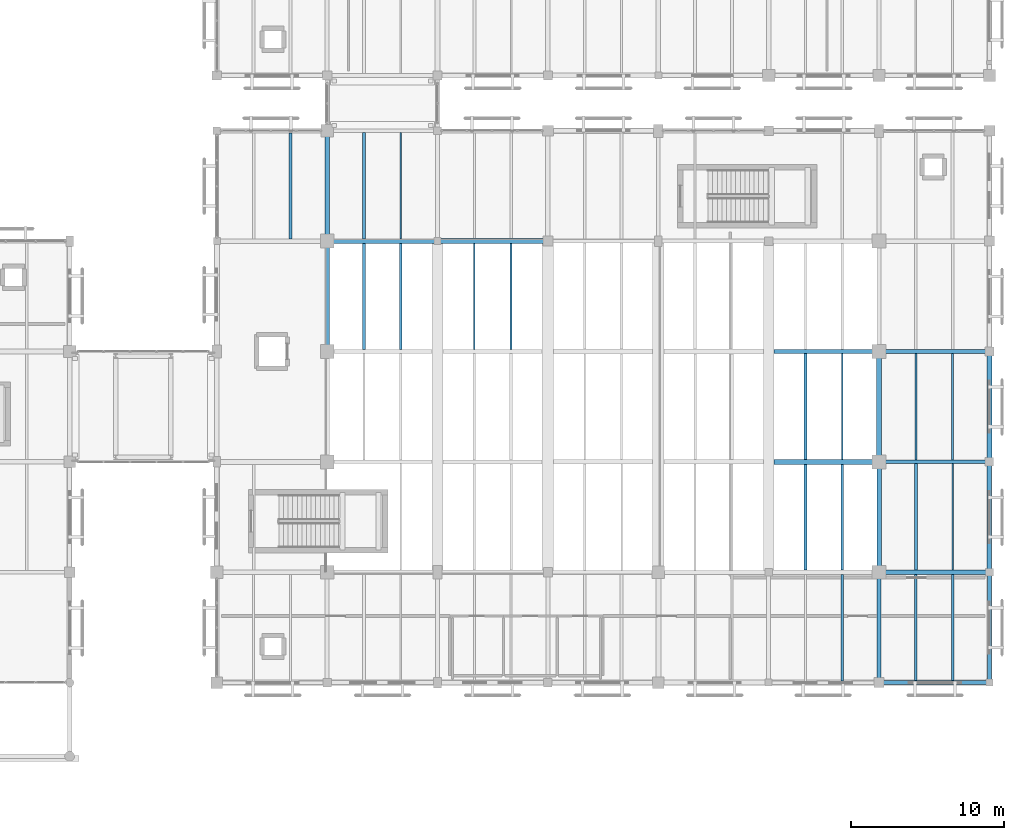
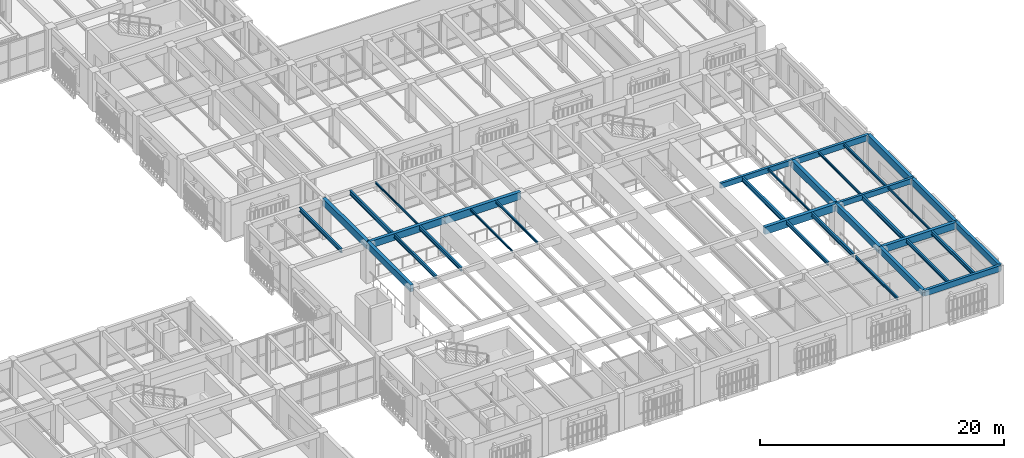
# One storey, part 90 of 170: 34 beams.
"""IFC4 building model written with IfcOpenShell, lengths in metres."""

from ifc_helpers import new_model, si_unit, direction, frame, origin, origin_2d, place, context, subcontext, project, spatial, rectangle, i_section, extrude, material, material_profile, profile_set, type_object, element, save


model = new_model("IFC4")

# Units and contexts
model_context = context("Model", 3, precision=1e-05, world=origin(), true_north=direction((0.0, 1.0)))
body_context = subcontext(model_context, "Body", "Model", "MODEL_VIEW")
ifc_project = project(units=[si_unit("LENGTHUNIT", "METRE"), si_unit("AREAUNIT", "SQUARE_METRE"), si_unit("VOLUMEUNIT", "CUBIC_METRE"), si_unit("PLANEANGLEUNIT", "RADIAN"), si_unit("MASSUNIT", "GRAM", prefix="KILO")], contexts=[model_context])

# Site, building, storey
site_placement = place(None, origin())
site = spatial("IfcSite", under=ifc_project, at=site_placement, CompositionType="ELEMENT")
building_placement = place(site_placement, origin())
building = spatial("IfcBuilding", under=site, at=building_placement, Name="Mazaris Harbour Polytechnic", CompositionType="ELEMENT")
storey_placement = place(building_placement, frame((0.0, 0.0, 5.39990234375)))
storey = spatial("IfcBuildingStorey", under=building, at=storey_placement, Name="L01", CompositionType="ELEMENT", Elevation=5.39990234375)

# Beams
ifc_material_1 = material(Name="Glulam GL32h", Category="wood")
ifc_material_profile_1 = material_profile(ifc_material_1, rectangle(XDim=0.239990234375, YDim=0.52001953125, at=origin_2d()), Name="RECT240x520")
ifc_profile_set_1 = profile_set([ifc_material_profile_1], Name="Glulam GL32h")
beam_type_1 = type_object("IfcBeamType", Name="Glulam Girder 240x520", PredefinedType="BEAM", material=ifc_profile_set_1)
beam_1_placement = place(storey_placement, frame((165.60009765625, 21.60009765625, 3.590087890625), z_axis=(1.0, 0.0, 0.0), x_axis=(0.0, 1.0, 0.0)))
element("IfcBeam", 1, at=beam_1_placement, inside=storey, type_object=beam_type_1, Name="V2 L01 Girder 535", PredefinedType="BEAM", context=body_context, shape_type="SweptSolid", body=[
    extrude(rectangle(XDim=0.239990234375, YDim=0.52001953125, at=origin_2d()), origin(), (0.0, 0.0, 1.0), 7.199951171875),
])
beam_2_placement = place(storey_placement, frame((158.75, 28.800048828125, 3.590087890625), z_axis=(1.0, 0.0, 0.0), x_axis=(0.0, 1.0, 0.0)))
element("IfcBeam", 2, at=beam_2_placement, inside=storey, type_object=beam_type_1, Name="V2 L01 Girder 540", PredefinedType="BEAM", context=body_context, shape_type="SweptSolid", body=[
    extrude(rectangle(XDim=0.239990234375, YDim=0.52001953125, at=origin_2d()), origin(), (0.0, 0.0, 1.0), 6.85009765625),
])
ifc_material_2 = material(Name="Glulam GL32h", Category="wood")
ifc_material_profile_2 = material_profile(ifc_material_2, rectangle(XDim=0.260009765625, YDim=0.580078125, at=origin_2d()), Name="RECT260x580")
ifc_profile_set_2 = profile_set([ifc_material_profile_2], Name="Glulam GL32h")
beam_type_2 = type_object("IfcBeamType", Name="Glulam Girder 260x580", PredefinedType="BEAM", material=ifc_profile_set_2)
beam_3_placement = place(storey_placement, frame((165.60009765625, 28.800048828125, 3.56005859375), z_axis=(1.0, 0.0, 0.0), x_axis=(0.0, 1.0, 0.0)))
element("IfcBeam", 3, at=beam_3_placement, inside=storey, type_object=beam_type_2, Name="V2 L01 Girder 541", PredefinedType="BEAM", context=body_context, shape_type="SweptSolid", body=[
    extrude(rectangle(XDim=0.260009765625, YDim=0.580078125, at=origin_2d()), origin(), (0.0, 0.0, 1.0), 7.199951171875),
])
ifc_material_3 = material(Name="Glulam GL32h", Category="wood")
ifc_material_profile_3 = material_profile(ifc_material_3, rectangle(XDim=0.260009765625, YDim=0.580078125, at=origin_2d()), Name="RECT260x580")
ifc_profile_set_3 = profile_set([ifc_material_profile_3], Name="Glulam GL32h")
beam_type_3 = type_object("IfcBeamType", Name="Glulam Girder 260x580 Exterior", PredefinedType="BEAM", material=ifc_profile_set_3)
beam_4_placement = place(storey_placement, frame((165.60009765625, 7.199951171875, 3.56005859375), z_axis=(1.0, 0.0, 0.0), x_axis=(0.0, 1.0, 0.0)))
element("IfcBeam", 4, at=beam_4_placement, inside=storey, type_object=beam_type_3, Name="V2 L01 Girder 521", PredefinedType="BEAM", context=body_context, shape_type="SweptSolid", body=[
    extrude(rectangle(XDim=0.260009765625, YDim=0.580078125, at=origin_2d()), origin(), (0.0, 0.0, 1.0), 7.199951171875),
])
ifc_material_4 = material(Name="Glulam GL32h", Category="wood")
ifc_material_profile_4 = material_profile(ifc_material_4, rectangle(XDim=0.280029296875, YDim=0.639892578125, at=origin_2d()), Name="RECT280x640")
ifc_profile_set_4 = profile_set([ifc_material_profile_4], Name="Glulam GL32h")
beam_type_4 = type_object("IfcBeamType", Name="Glulam Girder 280x640", PredefinedType="BEAM", material=ifc_profile_set_4)
beam_5_placement = place(storey_placement, frame((165.60009765625, 7.199951171875, 3.530029296875), z_axis=(0.0, 1.0, 0.0), x_axis=(-1.0, 0.0, 0.0)))
element("IfcBeam", 5, at=beam_5_placement, inside=storey, type_object=beam_type_4, Name="V2 L01 Tie Girder 572", PredefinedType="BEAM", context=body_context, shape_type="SweptSolid", body=[
    extrude(rectangle(XDim=0.280029296875, YDim=0.639892578125, at=origin_2d()), origin(), (0.0, 0.0, 1.0), 7.199951171875),
])
ifc_material_5 = material(Name="Glulam GL32h", Category="wood")
ifc_material_profile_5 = material_profile(ifc_material_5, rectangle(XDim=0.280029296875, YDim=0.639892578125, at=origin_2d()), Name="RECT280x640")
ifc_profile_set_5 = profile_set([ifc_material_profile_5], Name="Glulam GL32h")
beam_type_5 = type_object("IfcBeamType", Name="Glulam Girder 280x640 Exterior", PredefinedType="BEAM", material=ifc_profile_set_5)
beam_6_placement = place(storey_placement, frame((172.800048828125, 7.199951171875, 3.530029296875), z_axis=(0.0, 1.0, 0.0), x_axis=(-1.0, 0.0, 0.0)))
element("IfcBeam", 6, at=beam_6_placement, inside=storey, type_object=beam_type_5, Name="V2 L01 Tie Girder 577", PredefinedType="BEAM", context=body_context, shape_type="SweptSolid", body=[
    extrude(rectangle(XDim=0.280029296875, YDim=0.639892578125, at=origin_2d()), origin(), (0.0, 0.0, 1.0), 7.199951171875),
])
ifc_material_6 = material(Name="Glulam GL32h", Category="wood")
ifc_material_profile_6 = material_profile(ifc_material_6, rectangle(XDim=0.300048828125, YDim=0.679931640625, at=origin_2d()), Name="RECT300x680")
ifc_profile_set_6 = profile_set([ifc_material_profile_6], Name="Glulam GL32h")
beam_type_6 = type_object("IfcBeamType", Name="Glulam Girder 300x680", PredefinedType="BEAM", material=ifc_profile_set_6)
for number, where, z_axis, x_axis, name in (
    (7, (165.60009765625, 14.39990234375, 3.510009765625), (1.0, 0.0, 0.0), (0.0, 1.0, 0.0), "V2 L01 Girder 528"),
    (8, (129.60009765625, 36.0, 3.510009765625), (1.0, 0.0, 0.0), (0.0, 1.0, 0.0), "V2 L01 Girder 543"),
    (9, (129.60009765625, 28.800048828125, 3.510009765625), (0.0, 1.0, 0.0), (-1.0, 0.0, 0.0), "V2 L01 Tie Girder 563"),
):
    element("IfcBeam", number, at=place(storey_placement, frame(where, z_axis=z_axis, x_axis=x_axis)), inside=storey, type_object=beam_type_6, Name=name, PredefinedType="BEAM", context=body_context, shape_type="SweptSolid", body=[
        extrude(rectangle(XDim=0.300048828125, YDim=0.679931640625, at=origin_2d()), origin(), (0.0, 0.0, 1.0), 7.199951171875),
    ])
beam_7_placement = place(storey_placement, frame((165.60009765625, 14.39990234375, 3.510009765625), z_axis=(0.0, 1.0, 0.0), x_axis=(-1.0, 0.0, 0.0)))
element("IfcBeam", 10, at=beam_7_placement, inside=storey, type_object=beam_type_6, Name="V2 L01 Tie Girder 573", PredefinedType="BEAM", context=body_context, shape_type="SweptSolid", body=[
    extrude(rectangle(XDim=0.300048828125, YDim=0.679931640625, at=origin_2d()), origin(), (0.0, 0.0, 1.0), 7.2001953125),
])
ifc_material_7 = material(Name="Glulam GL32h", Category="wood")
ifc_material_profile_7 = material_profile(ifc_material_7, rectangle(XDim=0.300048828125, YDim=0.679931640625, at=origin_2d()), Name="RECT300x680")
ifc_profile_set_7 = profile_set([ifc_material_profile_7], Name="Glulam GL32h")
beam_type_7 = type_object("IfcBeamType", Name="Glulam Girder 300x680 Exterior", PredefinedType="BEAM", material=ifc_profile_set_7)
beam_8_placement = place(storey_placement, frame((172.800048828125, 14.39990234375, 3.510009765625), z_axis=(0.0, 1.0, 0.0), x_axis=(-1.0, 0.0, 0.0)))
element("IfcBeam", 11, at=beam_8_placement, inside=storey, type_object=beam_type_7, Name="V2 L01 Tie Girder 578", PredefinedType="BEAM", context=body_context, shape_type="SweptSolid", body=[
    extrude(rectangle(XDim=0.300048828125, YDim=0.679931640625, at=origin_2d()), origin(), (0.0, 0.0, 1.0), 7.2001953125),
])
ifc_material_8 = material(Name="Glulam GL32h", Category="wood")
ifc_material_profile_8 = material_profile(ifc_material_8, rectangle(XDim=0.320068359375, YDim=0.739990234375, at=origin_2d()), Name="RECT320x740")
ifc_profile_set_8 = profile_set([ifc_material_profile_8], Name="Glulam GL32h")
beam_type_8 = type_object("IfcBeamType", Name="Glulam Girder 320x740", PredefinedType="BEAM", material=ifc_profile_set_8)
beam_9_placement = place(storey_placement, frame((158.75, 21.60009765625, 3.47998046875), z_axis=(1.0, 0.0, 0.0), x_axis=(0.0, 1.0, 0.0)))
element("IfcBeam", 12, at=beam_9_placement, inside=storey, type_object=beam_type_8, Name="V2 L01 Girder 534", PredefinedType="BEAM", context=body_context, shape_type="SweptSolid", body=[
    extrude(rectangle(XDim=0.320068359375, YDim=0.739990234375, at=origin_2d()), origin(), (0.0, 0.0, 1.0), 6.85009765625),
])
for number, where, z_axis, x_axis, name in (
    (13, (136.800048828125, 36.0, 3.47998046875), (1.0, 0.0, 0.0), (0.0, 1.0, 0.0), "V2 L01 Girder 544"),
    (14, (129.60009765625, 36.0, 3.47998046875), (0.0, 1.0, 0.0), (-1.0, 0.0, 0.0), "V2 L01 Tie Girder 564"),
    (15, (165.60009765625, 21.60009765625, 3.47998046875), (0.0, 1.0, 0.0), (-1.0, 0.0, 0.0), "V2 L01 Tie Girder 574"),
):
    element("IfcBeam", number, at=place(storey_placement, frame(where, z_axis=z_axis, x_axis=x_axis)), inside=storey, type_object=beam_type_8, Name=name, PredefinedType="BEAM", context=body_context, shape_type="SweptSolid", body=[
        extrude(rectangle(XDim=0.320068359375, YDim=0.739990234375, at=origin_2d()), origin(), (0.0, 0.0, 1.0), 7.199951171875),
    ])
ifc_material_9 = material(Name="Glulam GL32h", Category="wood")
ifc_material_profile_9 = material_profile(ifc_material_9, rectangle(XDim=0.320068359375, YDim=0.739990234375, at=origin_2d()), Name="RECT320x740")
ifc_profile_set_9 = profile_set([ifc_material_profile_9], Name="Glulam GL32h")
beam_type_9 = type_object("IfcBeamType", Name="Glulam Girder 320x740 Exterior", PredefinedType="BEAM", material=ifc_profile_set_9)
beam_10_placement = place(storey_placement, frame((172.800048828125, 21.60009765625, 3.47998046875), z_axis=(0.0, 1.0, 0.0), x_axis=(-1.0, 0.0, 0.0)))
element("IfcBeam", 16, at=beam_10_placement, inside=storey, type_object=beam_type_9, Name="V2 L01 Tie Girder 579", PredefinedType="BEAM", context=body_context, shape_type="SweptSolid", body=[
    extrude(rectangle(XDim=0.320068359375, YDim=0.739990234375, at=origin_2d()), origin(), (0.0, 0.0, 1.0), 7.199951171875),
])
ifc_material_10 = material(Name="Steel S355", Category="steel")
ifc_material_profile_10 = material_profile(ifc_material_10, i_section(OverallWidth=0.10009765625, OverallDepth=0.199951171875, WebThickness=0.005615234375, FlangeThickness=0.008544921875, FilletRadius=0.011962890625, at=origin_2d()), Name="IPE 200")
ifc_profile_set_10 = profile_set([ifc_material_profile_10], Name="Steel S355")
beam_type_10 = type_object("IfcBeamType", Name="Steel Joist IPE200", PredefinedType="JOIST", material=ifc_profile_set_10)
beam_11_placement = place(storey_placement, frame((134.39990234375, 36.14990234375, 3.75), z_axis=(0.0, 1.0, 0.0), x_axis=(-1.0, 0.0, 0.0)))
element("IfcBeam", 17, at=beam_11_placement, inside=storey, type_object=beam_type_10, Name="V2 L01 Floor Joist 595", PredefinedType="JOIST", context=body_context, shape_type="SweptSolid", body=[
    extrude(i_section(OverallWidth=0.10009765625, OverallDepth=0.199951171875, WebThickness=0.005615234375, FlangeThickness=0.008544921875, FilletRadius=0.011962890625, at=origin_2d()), origin(), (0.0, 0.0, 1.0), 6.93017578125),
])
beam_12_placement = place(storey_placement, frame((139.199951171875, 28.93994140625, 3.75), z_axis=(0.0, 1.0, 0.0), x_axis=(-1.0, 0.0, 0.0)))
element("IfcBeam", 18, at=beam_12_placement, inside=storey, type_object=beam_type_10, Name="V2 L01 Floor Joist 602", PredefinedType="JOIST", context=body_context, shape_type="SweptSolid", body=[
    extrude(i_section(OverallWidth=0.10009765625, OverallDepth=0.199951171875, WebThickness=0.005615234375, FlangeThickness=0.008544921875, FilletRadius=0.011962890625, at=origin_2d()), origin(), (0.0, 0.0, 1.0), 6.900146484375),
])
beam_13_placement = place(storey_placement, frame((163.199951171875, 21.760009765625, 3.75), z_axis=(0.0, 1.0, 0.0), x_axis=(-1.0, 0.0, 0.0)))
element("IfcBeam", 19, at=beam_13_placement, inside=storey, type_object=beam_type_10, Name="V2 L01 Floor Joist 630", PredefinedType="JOIST", context=body_context, shape_type="SweptSolid", body=[
    extrude(i_section(OverallWidth=0.10009765625, OverallDepth=0.199951171875, WebThickness=0.005615234375, FlangeThickness=0.008544921875, FilletRadius=0.011962890625, at=origin_2d()), origin(), (0.0, 0.0, 1.0), 6.919921875),
])
beam_14_placement = place(storey_placement, frame((170.39990234375, 14.550048828125, 3.75), z_axis=(0.0, 1.0, 0.0), x_axis=(-1.0, 0.0, 0.0)))
element("IfcBeam", 20, at=beam_14_placement, inside=storey, type_object=beam_type_10, Name="V2 L01 Floor Joist 637", PredefinedType="JOIST", context=body_context, shape_type="SweptSolid", body=[
    extrude(i_section(OverallWidth=0.10009765625, OverallDepth=0.199951171875, WebThickness=0.005615234375, FlangeThickness=0.008544921875, FilletRadius=0.011962890625, at=origin_2d()), origin(), (0.0, 0.0, 1.0), 6.929931640625),
])
ifc_material_11 = material(Name="Steel S355", Category="steel")
ifc_material_profile_11 = material_profile(ifc_material_11, i_section(OverallWidth=0.1201171875, OverallDepth=0.239990234375, WebThickness=0.006103515625, FlangeThickness=0.009765625, FilletRadius=0.014892578125, at=origin_2d()), Name="IPE 240")
ifc_profile_set_11 = profile_set([ifc_material_profile_11], Name="Steel S355")
beam_type_11 = type_object("IfcBeamType", Name="Steel Joist IPE240", PredefinedType="JOIST", material=ifc_profile_set_11)
beam_15_placement = place(storey_placement, frame((141.60009765625, 28.93994140625, 3.72998046875), z_axis=(0.0, 1.0, 0.0), x_axis=(-1.0, 0.0, 0.0)))
element("IfcBeam", 21, at=beam_15_placement, inside=storey, type_object=beam_type_11, Name="V2 L01 Floor Joist 603", PredefinedType="JOIST", context=body_context, shape_type="SweptSolid", body=[
    extrude(i_section(OverallWidth=0.1201171875, OverallDepth=0.239990234375, WebThickness=0.006103515625, FlangeThickness=0.009765625, FilletRadius=0.014892578125, at=origin_2d()), origin(), (0.0, 0.0, 1.0), 6.900146484375),
])
beam_16_placement = place(storey_placement, frame((168.0, 21.719970703125, 3.72998046875), z_axis=(0.0, 1.0, 0.0), x_axis=(-1.0, 0.0, 0.0)))
element("IfcBeam", 22, at=beam_16_placement, inside=storey, type_object=beam_type_11, Name="V2 L01 Floor Joist 638", PredefinedType="JOIST", context=body_context, shape_type="SweptSolid", body=[
    extrude(i_section(OverallWidth=0.1201171875, OverallDepth=0.239990234375, WebThickness=0.006103515625, FlangeThickness=0.009765625, FilletRadius=0.014892578125, at=origin_2d()), origin(), (0.0, 0.0, 1.0), 6.949951171875),
])
ifc_material_12 = material(Name="Steel S355", Category="steel")
ifc_material_profile_12 = material_profile(ifc_material_12, i_section(OverallWidth=0.135009765625, OverallDepth=0.27001953125, WebThickness=0.006591796875, FlangeThickness=0.01025390625, FilletRadius=0.014892578125, at=origin_2d()), Name="IPE 270")
ifc_profile_set_12 = profile_set([ifc_material_profile_12], Name="Steel S355")
beam_type_12 = type_object("IfcBeamType", Name="Steel Joist IPE270", PredefinedType="JOIST", material=ifc_profile_set_12)
beam_17_placement = place(storey_placement, frame((170.39990234375, 21.719970703125, 3.715087890625), z_axis=(0.0, 1.0, 0.0), x_axis=(-1.0, 0.0, 0.0)))
element("IfcBeam", 23, at=beam_17_placement, inside=storey, type_object=beam_type_12, Name="V2 L01 Floor Joist 639", PredefinedType="JOIST", context=body_context, shape_type="SweptSolid", body=[
    extrude(i_section(OverallWidth=0.135009765625, OverallDepth=0.27001953125, WebThickness=0.006591796875, FlangeThickness=0.01025390625, FilletRadius=0.014892578125, at=origin_2d()), origin(), (0.0, 0.0, 1.0), 6.949951171875),
])
ifc_material_13 = material(Name="Steel S355", Category="steel")
ifc_material_profile_13 = material_profile(ifc_material_13, i_section(OverallWidth=0.14990234375, OverallDepth=0.300048828125, WebThickness=0.007080078125, FlangeThickness=0.0107421875, FilletRadius=0.014892578125, at=origin_2d()), Name="IPE 300")
ifc_profile_set_13 = profile_set([ifc_material_profile_13], Name="Steel S355")
beam_type_13 = type_object("IfcBeamType", Name="Steel Joist IPE300", PredefinedType="JOIST", material=ifc_profile_set_13)
beam_18_placement = place(storey_placement, frame((163.199951171875, 7.320068359375, 3.7001953125), z_axis=(0.0, 1.0, 0.0), x_axis=(-1.0, 0.0, 0.0)))
element("IfcBeam", 24, at=beam_18_placement, inside=storey, type_object=beam_type_13, Name="V2 L01 Floor Joist 626", PredefinedType="JOIST", context=body_context, shape_type="SweptSolid", body=[
    extrude(i_section(OverallWidth=0.14990234375, OverallDepth=0.300048828125, WebThickness=0.007080078125, FlangeThickness=0.0107421875, FilletRadius=0.014892578125, at=origin_2d()), origin(), (0.0, 0.0, 1.0), 6.93994140625),
])
ifc_material_14 = material(Name="Steel S355", Category="steel")
ifc_material_profile_14 = material_profile(ifc_material_14, i_section(OverallWidth=0.169921875, OverallDepth=0.360107421875, WebThickness=0.008056640625, FlangeThickness=0.0126953125, FilletRadius=0.01806640625, at=origin_2d()), Name="IPE 360")
ifc_profile_set_14 = profile_set([ifc_material_profile_14], Name="Steel S355")
beam_type_14 = type_object("IfcBeamType", Name="Steel Joist IPE360", PredefinedType="JOIST", material=ifc_profile_set_14)
beam_19_placement = place(storey_placement, frame((132.0, 28.929931640625, 3.670166015625), z_axis=(0.0, 1.0, 0.0), x_axis=(-1.0, 0.0, 0.0)))
element("IfcBeam", 25, at=beam_19_placement, inside=storey, type_object=beam_type_14, Name="V2 L01 Floor Joist 592", PredefinedType="JOIST", context=body_context, shape_type="SweptSolid", body=[
    extrude(i_section(OverallWidth=0.169921875, OverallDepth=0.360107421875, WebThickness=0.008056640625, FlangeThickness=0.0126953125, FilletRadius=0.01806640625, at=origin_2d()), origin(), (0.0, 0.0, 1.0), 6.920166015625),
])
beam_20_placement = place(storey_placement, frame((160.800048828125, 14.5400390625, 3.670166015625), z_axis=(0.0, 1.0, 0.0), x_axis=(-1.0, 0.0, 0.0)))
element("IfcBeam", 26, at=beam_20_placement, inside=storey, type_object=beam_type_14, Name="V2 L01 Floor Joist 627", PredefinedType="JOIST", context=body_context, shape_type="SweptSolid", body=[
    extrude(i_section(OverallWidth=0.169921875, OverallDepth=0.360107421875, WebThickness=0.008056640625, FlangeThickness=0.0126953125, FilletRadius=0.01806640625, at=origin_2d()), origin(), (0.0, 0.0, 1.0), 6.89990234375),
])
beam_21_placement = place(storey_placement, frame((168.0, 7.330078125, 3.670166015625), z_axis=(0.0, 1.0, 0.0), x_axis=(-1.0, 0.0, 0.0)))
element("IfcBeam", 27, at=beam_21_placement, inside=storey, type_object=beam_type_14, Name="V2 L01 Floor Joist 634", PredefinedType="JOIST", context=body_context, shape_type="SweptSolid", body=[
    extrude(i_section(OverallWidth=0.169921875, OverallDepth=0.360107421875, WebThickness=0.008056640625, FlangeThickness=0.0126953125, FilletRadius=0.01806640625, at=origin_2d()), origin(), (0.0, 0.0, 1.0), 6.919921875),
])
ifc_material_15 = material(Name="Steel S355", Category="steel")
ifc_material_profile_15 = material_profile(ifc_material_15, i_section(OverallWidth=0.179931640625, OverallDepth=0.39990234375, WebThickness=0.008544921875, FlangeThickness=0.013427734375, FilletRadius=0.02099609375, at=origin_2d()), Name="IPE 400")
ifc_profile_set_15 = profile_set([ifc_material_profile_15], Name="Steel S355")
beam_type_15 = type_object("IfcBeamType", Name="Steel Joist IPE400", PredefinedType="JOIST", material=ifc_profile_set_15)
beam_22_placement = place(storey_placement, frame((127.199951171875, 36.139892578125, 3.650146484375), z_axis=(0.0, 1.0, 0.0), x_axis=(-1.0, 0.0, 0.0)))
element("IfcBeam", 28, at=beam_22_placement, inside=storey, type_object=beam_type_15, Name="V2 L01 Floor Joist 586", PredefinedType="JOIST", context=body_context, shape_type="SweptSolid", body=[
    extrude(i_section(OverallWidth=0.179931640625, OverallDepth=0.39990234375, WebThickness=0.008544921875, FlangeThickness=0.013427734375, FilletRadius=0.02099609375, at=origin_2d()), origin(), (0.0, 0.0, 1.0), 6.900146484375),
])
beam_23_placement = place(storey_placement, frame((134.39990234375, 28.929931640625, 3.650146484375), z_axis=(0.0, 1.0, 0.0), x_axis=(-1.0, 0.0, 0.0)))
element("IfcBeam", 29, at=beam_23_placement, inside=storey, type_object=beam_type_15, Name="V2 L01 Floor Joist 593", PredefinedType="JOIST", context=body_context, shape_type="SweptSolid", body=[
    extrude(i_section(OverallWidth=0.179931640625, OverallDepth=0.39990234375, WebThickness=0.008544921875, FlangeThickness=0.013427734375, FilletRadius=0.02099609375, at=origin_2d()), origin(), (0.0, 0.0, 1.0), 6.920166015625),
])
beam_24_placement = place(storey_placement, frame((163.199951171875, 14.5400390625, 3.650146484375), z_axis=(0.0, 1.0, 0.0), x_axis=(-1.0, 0.0, 0.0)))
element("IfcBeam", 30, at=beam_24_placement, inside=storey, type_object=beam_type_15, Name="V2 L01 Floor Joist 628", PredefinedType="JOIST", context=body_context, shape_type="SweptSolid", body=[
    extrude(i_section(OverallWidth=0.179931640625, OverallDepth=0.39990234375, WebThickness=0.008544921875, FlangeThickness=0.013427734375, FilletRadius=0.02099609375, at=origin_2d()), origin(), (0.0, 0.0, 1.0), 6.89990234375),
])
beam_25_placement = place(storey_placement, frame((170.39990234375, 7.330078125, 3.650146484375), z_axis=(0.0, 1.0, 0.0), x_axis=(-1.0, 0.0, 0.0)))
element("IfcBeam", 31, at=beam_25_placement, inside=storey, type_object=beam_type_15, Name="V2 L01 Floor Joist 635", PredefinedType="JOIST", context=body_context, shape_type="SweptSolid", body=[
    extrude(i_section(OverallWidth=0.179931640625, OverallDepth=0.39990234375, WebThickness=0.008544921875, FlangeThickness=0.013427734375, FilletRadius=0.02099609375, at=origin_2d()), origin(), (0.0, 0.0, 1.0), 6.919921875),
])
ifc_material_16 = material(Name="Steel S355", Category="steel")
ifc_material_profile_16 = material_profile(ifc_material_16, i_section(OverallWidth=0.18994140625, OverallDepth=0.449951171875, WebThickness=0.009521484375, FlangeThickness=0.0146484375, FilletRadius=0.02099609375, at=origin_2d()), Name="IPE 450")
ifc_profile_set_16 = profile_set([ifc_material_profile_16], Name="Steel S355")
beam_type_16 = type_object("IfcBeamType", Name="Steel Joist IPE450", PredefinedType="JOIST", material=ifc_profile_set_16)
beam_26_placement = place(storey_placement, frame((132.0, 36.14990234375, 3.625), z_axis=(0.0, 1.0, 0.0), x_axis=(-1.0, 0.0, 0.0)))
element("IfcBeam", 32, at=beam_26_placement, inside=storey, type_object=beam_type_16, Name="V2 L01 Floor Joist 594", PredefinedType="JOIST", context=body_context, shape_type="SweptSolid", body=[
    extrude(i_section(OverallWidth=0.18994140625, OverallDepth=0.449951171875, WebThickness=0.009521484375, FlangeThickness=0.0146484375, FilletRadius=0.02099609375, at=origin_2d()), origin(), (0.0, 0.0, 1.0), 6.93017578125),
])
beam_27_placement = place(storey_placement, frame((160.800048828125, 21.760009765625, 3.625), z_axis=(0.0, 1.0, 0.0), x_axis=(-1.0, 0.0, 0.0)))
element("IfcBeam", 33, at=beam_27_placement, inside=storey, type_object=beam_type_16, Name="V2 L01 Floor Joist 629", PredefinedType="JOIST", context=body_context, shape_type="SweptSolid", body=[
    extrude(i_section(OverallWidth=0.18994140625, OverallDepth=0.449951171875, WebThickness=0.009521484375, FlangeThickness=0.0146484375, FilletRadius=0.02099609375, at=origin_2d()), origin(), (0.0, 0.0, 1.0), 6.919921875),
])
beam_28_placement = place(storey_placement, frame((168.0, 14.550048828125, 3.625), z_axis=(0.0, 1.0, 0.0), x_axis=(-1.0, 0.0, 0.0)))
element("IfcBeam", 34, at=beam_28_placement, inside=storey, type_object=beam_type_16, Name="V2 L01 Floor Joist 636", PredefinedType="JOIST", context=body_context, shape_type="SweptSolid", body=[
    extrude(i_section(OverallWidth=0.18994140625, OverallDepth=0.449951171875, WebThickness=0.009521484375, FlangeThickness=0.0146484375, FilletRadius=0.02099609375, at=origin_2d()), origin(), (0.0, 0.0, 1.0), 6.929931640625),
])

save(model, "model.ifc")
